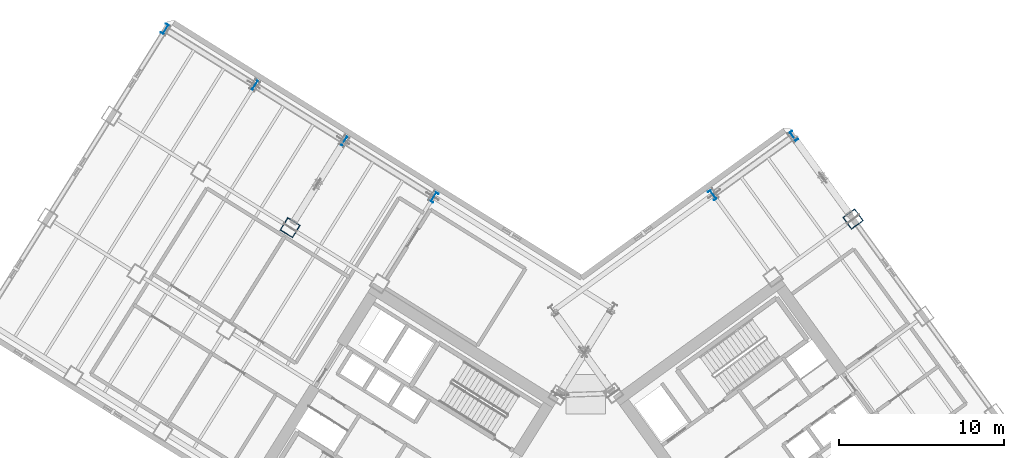
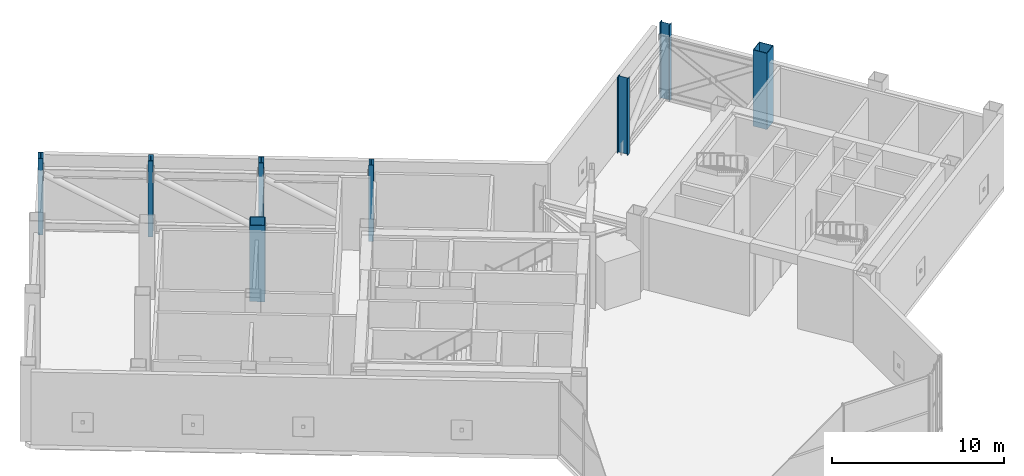
# One storey, part 3 of 21: 8 columns.
"""IFC4 building model written with IfcOpenShell, lengths in metres."""

from ifc_helpers import new_model, si_unit, direction, frame, origin, origin_2d, place, context, subcontext, project, spatial, hollow_rectangle, i_section, extrude, source, transform, mapped, material, material_profile, profile_set, type_object, element, save


model = new_model("IFC4")

# Units and contexts
model_context = context("Model", 3, precision=1e-05, world=origin(), true_north=direction((0.0, 1.0)))
body_context = subcontext(model_context, "Body", "Model", "MODEL_VIEW")
ifc_project = project(units=[si_unit("LENGTHUNIT", "METRE"), si_unit("AREAUNIT", "SQUARE_METRE"), si_unit("VOLUMEUNIT", "CUBIC_METRE"), si_unit("PLANEANGLEUNIT", "RADIAN"), si_unit("MASSUNIT", "GRAM", prefix="KILO")], contexts=[model_context])

# Site, building, storey
site_placement = place(None, origin())
site = spatial("IfcSite", under=ifc_project, at=site_placement, CompositionType="ELEMENT")
building_placement = place(site_placement, origin())
building = spatial("IfcBuilding", under=site, at=building_placement, Name="Tlacorven Tower", CompositionType="ELEMENT")
storey_placement = place(building_placement, frame((0.0, 0.0, 84.60009765625)))
storey = spatial("IfcBuildingStorey", under=building, at=storey_placement, Name="L21", CompositionType="ELEMENT", Elevation=84.60009765625)

# Columns
ifc_material = material(Name="Steel S460M", Category="steel")
ifc_material_profile_1 = material_profile(ifc_material, i_section(OverallWidth=0.300048828125, OverallDepth=0.64990234375, WebThickness=0.01611328125, FlangeThickness=0.031005859375, at=origin_2d()), Name="HEB 650")
ifc_profile_set_1 = profile_set([ifc_material_profile_1], Name="Steel S460M")
column_type_1 = type_object("IfcColumnType", Name="COL-TWR-P1", PredefinedType="COLUMN", material=ifc_profile_set_1)
shared_shape_1 = source(origin(), body_context, "Body", "SweptSolid", [
    extrude(i_section(OverallWidth=0.300048828125, OverallDepth=0.64990234375, WebThickness=0.01611328125, FlangeThickness=0.031005859375, at=origin_2d()), origin(), (0.0, 0.0, 1.0), 5.39990234375),
])
for number, where, z_axis, x_axis, name in (
    (1, (33.21337890625, 36.50927734375, 0.0), (0.0, 0.0, 1.0), (-0.848048096156, 0.529919264233, 0.0), "L21 column COL-L21-W3-1"),
    (2, (27.785888671875, 39.900634765625, 0.0), (0.0, 0.0, 1.0), (-0.848048096156, 0.529919264233, 0.0), "L21 column COL-L21-W4-1"),
    (3, (22.3583984375, 43.292236328125, 0.0), (0.0, 0.0, 1.0), (-0.848048096156, 0.529919264233, 0.0), "L21 column COL-L21-W5-1"),
    (4, (16.930908203125, 46.68359375, 0.0), (0.0, 0.0, 1.0), (-0.848048096156, 0.529919264233, 0.0), "L21 column COL-L21-W6-1"),
    (5, (50.187744140625, 36.654296875, 0.0), (0.0, 0.0, 1.0), (0.809016994375, 0.587785252292, 0.0), "L21 column COL-L21-E3-4"),
    (6, (55.041748046875, 40.18115234375, 0.0), (0.0, 0.0, 1.0), (0.809016994375, 0.587785252292, 0.0), "L21 column COL-L21-E4-4"),
):
    element("IfcColumn", number, at=place(storey_placement, frame(where, z_axis=z_axis, x_axis=x_axis)), inside=storey, type_object=column_type_1, Name=name, PredefinedType="COLUMN", context=body_context, shape_type="MappedRepresentation", body=[
        mapped(shared_shape_1, transform((0.0, 0.0, 0.0), scale=1.0)),
    ])
ifc_material_profile_2 = material_profile(ifc_material, hollow_rectangle(XDim=0.89990234375, YDim=0.89990234375, WallThickness=0.035888671875, at=origin_2d()), Name="BOX 900X900X36")
ifc_profile_set_2 = profile_set([ifc_material_profile_2], Name="Steel S460M")
column_type_2 = type_object("IfcColumnType", Name="COL-TWR-S2", PredefinedType="COLUMN", material=ifc_profile_set_2)
shared_shape_2 = source(origin(), body_context, "Body", "SweptSolid", [
    extrude(hollow_rectangle(XDim=0.89990234375, YDim=0.89990234375, WallThickness=0.035888671875, at=origin_2d()), origin(), (0.0, 0.0, 1.0), 5.39990234375),
])
for number, where, z_axis, x_axis, name in (
    (7, (24.50048828125, 34.642822265625, 0.0), (0.0, 0.0, 1.0), (-0.848048096156, 0.529919264233, 0.0), "L21 column COL-L21-W4-2"),
    (8, (58.68603515625, 35.165283203125, 0.0), (0.0, 0.0, 1.0), (0.809016994375, 0.587785252292, 0.0), "L21 column COL-L21-E4-3"),
):
    element("IfcColumn", number, at=place(storey_placement, frame(where, z_axis=z_axis, x_axis=x_axis)), inside=storey, type_object=column_type_2, Name=name, PredefinedType="COLUMN", context=body_context, shape_type="MappedRepresentation", body=[
        mapped(shared_shape_2, transform((0.0, 0.0, 0.0), scale=1.0)),
    ])

save(model, "model.ifc")
